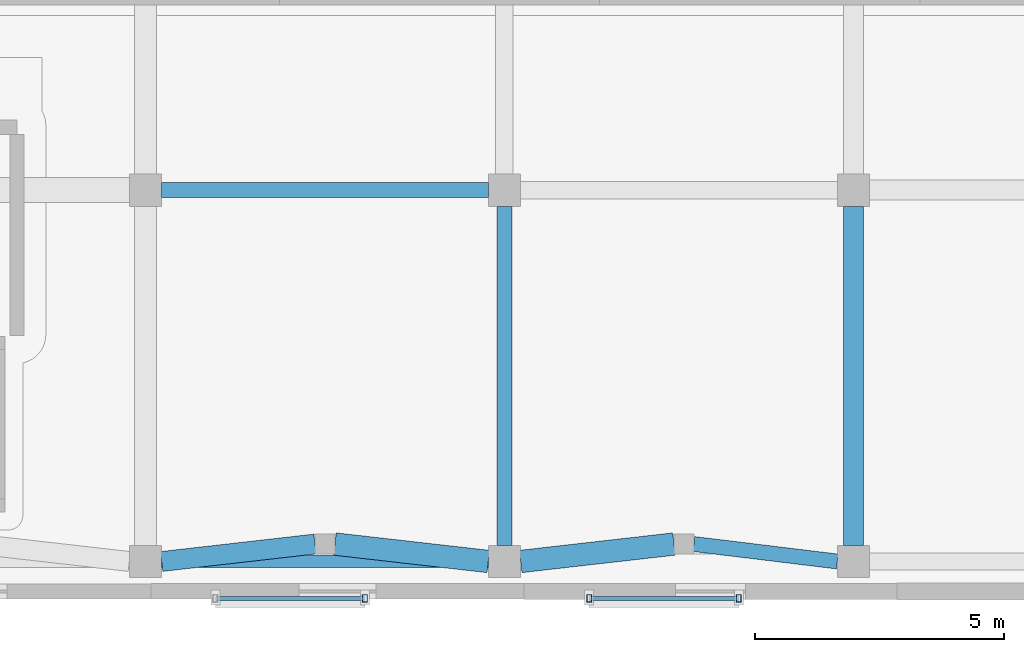
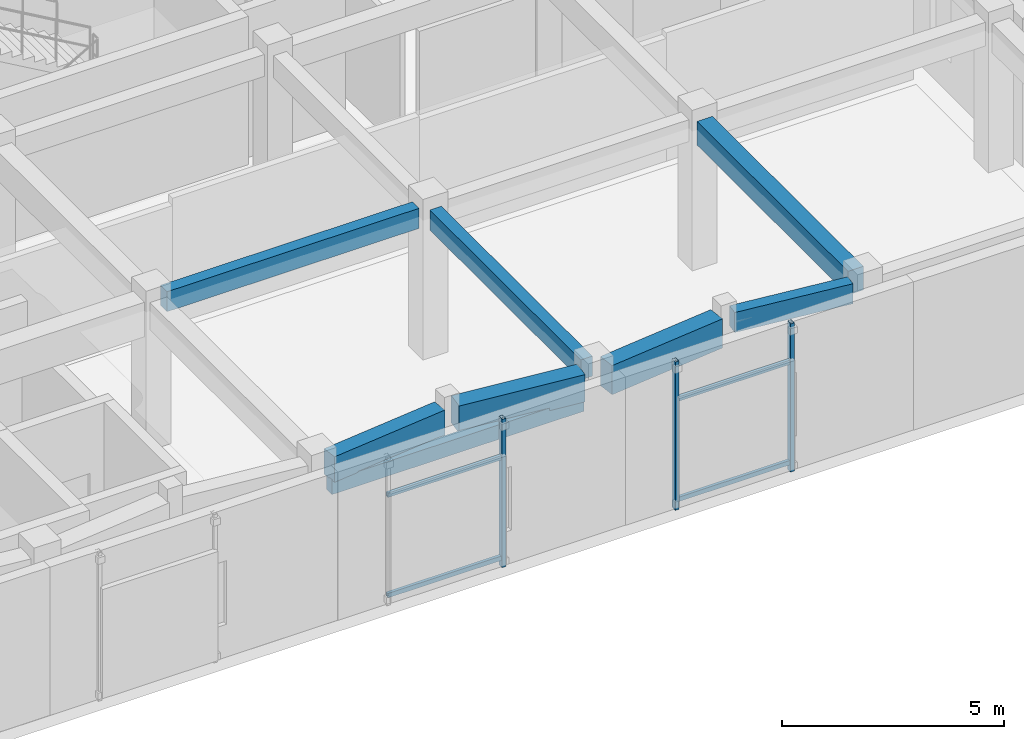
# One storey, part 22 of 142: 8 beams, 7 members.
"""IFC4 building model written with IfcOpenShell, lengths in metres."""

import ifcopenshell
import ifcopenshell.guid

model = None  # the IFC model being written
_history = None  # IfcOwnerHistory: only IFC2X3 demands one
_inside = {}  # id of a spatial element -> (the spatial element, [elements in it])
_under = {}  # id of a project, library or spatial element -> (it, [spatial elements below it])
_declared = {}  # id of a project -> (the project, [libraries it declares])
_typed = {}  # id of a type object -> (the type object, [elements of that type])
_made_of = {}  # id of a material, layer set ... -> (it, [elements and type objects made of it])


def new_model(schema):
    """Start an empty IFC model of exactly this schema.

    Asked for "IFC4X3", IfcOpenShell would pick the latest addendum, in which some entities
    have other attributes; the version numbers below select the first issue.
    IFC2X3 requires an IfcOwnerHistory on every rooted entity: one is made here for all.
    """
    global model, _history
    if schema == "IFC4X3":
        model = ifcopenshell.file(schema_version=(4, 3, 0, 0))
    else:
        model = ifcopenshell.file(schema=schema)
    _inside.clear()
    _under.clear()
    _declared.clear()
    _typed.clear()
    _made_of.clear()
    _history = None
    if model.schema == "IFC2X3":
        org = make("IfcOrganization", Name="unknown")
        user = make(
            "IfcPersonAndOrganization",
            ThePerson=make("IfcPerson", FamilyName="unknown"),
            TheOrganization=org,
        )
        app = make(
            "IfcApplication",
            ApplicationDeveloper=org,
            Version="unknown",
            ApplicationFullName="unknown",
            ApplicationIdentifier="unknown",
        )
        _history = make(
            "IfcOwnerHistory",
            OwningUser=user,
            OwningApplication=app,
            ChangeAction="ADDED",
            CreationDate=0,
        )
    return model


def make(cls, **values):
    """One entity of the class cls with the attributes given. An attribute that is None is left unset."""
    return model.create_entity(
        cls, **{name: value for name, value in values.items() if value is not None}
    )


def rooted(cls, **values):
    """An entity with a GlobalId (a new one), such as an element, a storey or a relation."""
    return make(cls, GlobalId=ifcopenshell.guid.new(), OwnerHistory=_history, **values)


def si_unit(unit_type, name, prefix=None):
    """IfcSIUnit, for example si_unit("LENGTHUNIT", "METRE", prefix="MILLI")."""
    return make("IfcSIUnit", UnitType=unit_type, Prefix=prefix, Name=name)


def assignment(units):
    """IfcUnitAssignment: the units of a project."""
    return None if units is None else make("IfcUnitAssignment", Units=units)


def point(xyz):
    """IfcCartesianPoint."""
    return None if xyz is None else make("IfcCartesianPoint", Coordinates=xyz)


def direction(xyz):
    """IfcDirection."""
    return None if xyz is None else make("IfcDirection", DirectionRatios=xyz)


def frame(location, z_axis=None, x_axis=None):
    """IfcAxis2Placement3D, a coordinate frame: its origin and axes. An axis left out is left unset."""
    return make(
        "IfcAxis2Placement3D",
        Location=point(location),
        Axis=direction(z_axis),
        RefDirection=direction(x_axis),
    )


def frame_2d(location, x_axis=None):
    """IfcAxis2Placement2D, a coordinate frame in the plane: its origin and x axis."""
    return make(
        "IfcAxis2Placement2D", Location=point(location), RefDirection=direction(x_axis)
    )


def origin():
    """The frame at (0, 0, 0) with its axes left unset."""
    return frame((0.0, 0.0, 0.0))


def origin_2d():
    """The frame at (0, 0) in the plane with its x axis left unset."""
    return frame_2d((0.0, 0.0))


def place(relative_to, where):
    """IfcLocalPlacement: puts the frame where relative to a parent placement (None: the world)."""
    return make(
        "IfcLocalPlacement", PlacementRelTo=relative_to, RelativePlacement=where
    )


def context(
    kind, dimensions, precision=None, world=None, true_north=None, identifier=None
):
    """IfcGeometricRepresentationContext, for example the 3D "Model" context."""
    return make(
        "IfcGeometricRepresentationContext",
        ContextIdentifier=identifier,
        ContextType=kind,
        CoordinateSpaceDimension=dimensions,
        Precision=precision,
        WorldCoordinateSystem=world,
        TrueNorth=true_north,
    )


def subcontext(parent, identifier, kind, view, scale=None):
    """IfcGeometricRepresentationSubContext, for example "Body" below "Model"."""
    return make(
        "IfcGeometricRepresentationSubContext",
        ContextIdentifier=identifier,
        ContextType=kind,
        ParentContext=parent,
        TargetScale=scale,
        TargetView=view,
    )


def project(units=None, contexts=None):
    """IfcProject with its units and contexts."""
    return rooted(
        "IfcProject",
        Name="project",
        RepresentationContexts=contexts,
        UnitsInContext=assignment(units),
    )


def spatial(cls, under=None, at=None, **own):
    """A site, building, storey or space (cls), placed at a placement, below another one or the project."""
    s = rooted(cls, ObjectPlacement=at, **own)
    if under is not None:
        _under.setdefault(under.id(), (under, []))[1].append(s)
    return s


def profile(cls, at=None, kind="AREA", **sizes):
    """A parametric profile (cls). Its sizes go by their IFC names, for example OverallWidth=200.0."""
    return make(cls, ProfileType=kind, Position=at, **sizes)


def rectangle(**sizes):
    """IfcRectangleProfileDef."""
    return profile("IfcRectangleProfileDef", **sizes)


def hollow_rectangle(**sizes):
    """IfcRectangleHollowProfileDef."""
    return profile("IfcRectangleHollowProfileDef", **sizes)


def extrude(swept, where, along, depth):
    """IfcExtrudedAreaSolid: the profile swept, set in the frame where, extruded along a direction by depth."""
    return make(
        "IfcExtrudedAreaSolid",
        SweptArea=swept,
        Position=where,
        ExtrudedDirection=direction(along),
        Depth=depth,
    )


def shape(context_of_items, identifier, shape_type, items):
    """IfcShapeRepresentation: the items that make up one representation, for example the "Body"."""
    return make(
        "IfcShapeRepresentation",
        ContextOfItems=context_of_items,
        RepresentationIdentifier=identifier,
        RepresentationType=shape_type,
        Items=items,
    )


def material(Name=None, Category=None):
    """IfcMaterial."""
    return make("IfcMaterial", Name=Name, Category=Category)


def material_profile(
    of_material, cross_section, Name=None, Category=None, Priority=None
):
    """IfcMaterialProfile: a cross section and its material."""
    return make(
        "IfcMaterialProfile",
        Name=Name,
        Material=of_material,
        Profile=cross_section,
        Priority=Priority,
        Category=Category,
    )


def profile_set(profiles, Name=None, composite=None):
    """IfcMaterialProfileSet."""
    return make(
        "IfcMaterialProfileSet",
        Name=Name,
        MaterialProfiles=profiles,
        CompositeProfile=composite,
    )


def made_of(thing, what):
    """Note that an element or type object is made of a material, layer set ...; save() writes the relation."""
    if what is not None:
        _made_of.setdefault(what.id(), (what, []))[1].append(thing)
    return thing


def type_object(cls, material=None, **own):
    """A type object (cls), such as IfcWallType, which elements share."""
    return made_of(rooted(cls, **own), material)


def element(
    cls,
    number,
    at=None,
    inside=None,
    cuts=None,
    type_object=None,
    material=None,
    context=None,
    identifier="Body",
    shape_type=None,
    held_by="IfcProductDefinitionShape",
    body=None,
    shapes=None,
    **own,
):
    """One element of the class cls, such as IfcWall. Its Tag is "e" and its number.

    at: its placement. inside: the storey or other place that contains it. cuts: it is an
    opening in that element (IfcRelVoidsElement). A single representation is given by context,
    identifier, shape_type and body (its items); several are given by shapes. held_by: the class
    of the entity that holds the representations. save() writes the other relations.
    """
    e = rooted(cls, Tag="e%d" % number, ObjectPlacement=at, **own)
    if body is not None:
        shapes = [shape(context, identifier, shape_type, body)]
    if shapes is not None:
        e.Representation = make(held_by, Representations=shapes)
    if inside is not None:
        _inside.setdefault(inside.id(), (inside, []))[1].append(e)
    if cuts is not None:
        rooted(
            "IfcRelVoidsElement", RelatingBuildingElement=cuts, RelatedOpeningElement=e
        )
    if type_object is not None:
        _typed.setdefault(type_object.id(), (type_object, []))[1].append(e)
    return made_of(e, material)


def aggregate(whole, parts):
    """IfcRelAggregates: a whole, such as a stair, and the parts it consists of."""
    return rooted("IfcRelAggregates", RelatingObject=whole, RelatedObjects=parts)


def save(model, path):
    """Write the relations noted so far, then the file.

    IfcRelAggregates (storeys below a building ...), IfcRelContainedInSpatialStructure (elements
    in a storey), IfcRelDefinesByType, IfcRelAssociatesMaterial and IfcRelDeclares: one each for
    every whole, place, type object, material and project.
    """
    for whole, parts in _under.values():
        aggregate(whole, parts)
    for where, things in _inside.values():
        rooted(
            "IfcRelContainedInSpatialStructure",
            RelatedElements=things,
            RelatingStructure=where,
        )
    for kind, things in _typed.values():
        rooted("IfcRelDefinesByType", RelatedObjects=things, RelatingType=kind)
    for what, things in _made_of.values():
        rooted("IfcRelAssociatesMaterial", RelatedObjects=things, RelatingMaterial=what)
    for by, libraries in _declared.values():
        rooted("IfcRelDeclares", RelatingContext=by, RelatedDefinitions=libraries)
    model.write(path)


model = new_model("IFC4")

# Units and contexts
model_context = context("Model", 3, precision=1e-05, world=origin(), true_north=direction((0.0, 1.0)))
body_context = subcontext(model_context, "Body", "Model", "MODEL_VIEW")
ifc_project = project(units=[si_unit("LENGTHUNIT", "METRE"), si_unit("AREAUNIT", "SQUARE_METRE"), si_unit("VOLUMEUNIT", "CUBIC_METRE"), si_unit("PLANEANGLEUNIT", "RADIAN"), si_unit("MASSUNIT", "GRAM", prefix="KILO")], contexts=[model_context])

# Site, building, storey
site_placement = place(None, origin())
site = spatial("IfcSite", under=ifc_project, at=site_placement, CompositionType="ELEMENT")
building_placement = place(site_placement, origin())
building = spatial("IfcBuilding", under=site, at=building_placement, Name="Valcora Specialist Clinic", CompositionType="ELEMENT")
storey_placement = place(building_placement, frame((0.0, 0.0, 5.10009765625)))
storey = spatial("IfcBuildingStorey", under=building, at=storey_placement, Name="L01", CompositionType="ELEMENT", Elevation=5.10009765625)

# Beams
ifc_material_1 = material(Name="Concrete C40/50", Category="concrete")
ifc_material_profile_1 = material_profile(ifc_material_1, rectangle(XDim=0.300048828125, YDim=0.550048828125, at=origin_2d()), Name="RC-BM-300X550")
ifc_profile_set_1 = profile_set([ifc_material_profile_1], Name="Concrete C40/50")
beam_type_1 = type_object("IfcBeamType", Name="TY-BM-RC300X550", PredefinedType="BEAM", material=ifc_profile_set_1)
beam_1_placement = place(storey_placement, frame((41.60009765625, 1.10009765625, 3.7998046875), z_axis=(0.992667109146, -0.120880148991, 0.0), x_axis=(0.120880148991, 0.992667109146, 0.0)))
element("IfcBeam", 1, at=beam_1_placement, inside=storey, type_object=beam_type_1, Name="Beam BM-L01-0937", PredefinedType="BEAM", context=body_context, shape_type="SweptSolid", body=[
    extrude(rectangle(XDim=0.300048828125, YDim=0.550048828125, at=origin_2d()), origin(), (0.0, 0.0, 1.0), 2.896240234375),
])
beam_2_placement = place(storey_placement, frame((30.925048828125, 8.199951171875, 3.7998046875), z_axis=(1.0, 0.0, 0.0), x_axis=(0.0, 1.0, 0.0)))
element("IfcBeam", 2, at=beam_2_placement, inside=storey, type_object=beam_type_1, Name="Beam BM-L01-0943", PredefinedType="BEAM", context=body_context, shape_type="SweptSolid", body=[
    extrude(rectangle(XDim=0.300048828125, YDim=0.550048828125, at=origin_2d()), origin(), (0.0, 0.0, 1.0), 6.550048828125),
])
beam_3_placement = place(storey_placement, frame((37.800048828125, 1.074951171875, 3.7998046875), z_axis=(0.0, 1.0, 0.0), x_axis=(-1.0, 0.0, 0.0)))
element("IfcBeam", 3, at=beam_3_placement, inside=storey, type_object=beam_type_1, Name="Beam BM-L01-0971", PredefinedType="BEAM", context=body_context, shape_type="SweptSolid", body=[
    extrude(rectangle(XDim=0.300048828125, YDim=0.550048828125, at=origin_2d()), origin(), (0.0, 0.0, 1.0), 6.800048828125),
])
ifc_material_profile_2 = material_profile(ifc_material_1, rectangle(XDim=0.39990234375, YDim=0.64990234375, at=origin_2d()), Name="RC-BM-400X650")
ifc_profile_set_2 = profile_set([ifc_material_profile_2], Name="Concrete C40/50")
beam_type_2 = type_object("IfcBeamType", Name="TY-BM-RC400X650", PredefinedType="BEAM", material=ifc_profile_set_2)
beam_4_placement = place(storey_placement, frame((44.800048828125, 1.074951171875, 3.75), z_axis=(0.0, 1.0, 0.0), x_axis=(-1.0, 0.0, 0.0)))
element("IfcBeam", 4, at=beam_4_placement, inside=storey, type_object=beam_type_2, Name="Beam BM-L01-0973", PredefinedType="BEAM", context=body_context, shape_type="SweptSolid", body=[
    extrude(rectangle(XDim=0.39990234375, YDim=0.64990234375, at=origin_2d()), origin(), (0.0, 0.0, 1.0), 6.800048828125),
])
ifc_material_profile_3 = material_profile(ifc_material_1, rectangle(XDim=0.39990234375, YDim=0.699951171875, at=origin_2d()), Name="RC-BM-400X700")
ifc_profile_set_3 = profile_set([ifc_material_profile_3], Name="Concrete C40/50")
beam_type_3 = type_object("IfcBeamType", Name="TY-BM-RC400X700", PredefinedType="BEAM", material=ifc_profile_set_3)
beam_5_placement = place(storey_placement, frame((30.925048828125, 0.75, 3.724853515625), z_axis=(0.993580893822, 0.113123858812, 0.0), x_axis=(-0.113123858812, 0.993580893822, 0.0)))
element("IfcBeam", 5, at=beam_5_placement, inside=storey, type_object=beam_type_3, Name="Beam BM-L01-0934", PredefinedType="BEAM", context=body_context, shape_type="SweptSolid", body=[
    extrude(rectangle(XDim=0.39990234375, YDim=0.699951171875, at=origin_2d()), origin(), (0.0, 0.0, 1.0), 3.0947265625),
])
ifc_material_profile_4 = material_profile(ifc_material_1, rectangle(XDim=0.449951171875, YDim=0.75, at=origin_2d()), Name="RC-BM-450X750")
ifc_profile_set_4 = profile_set([ifc_material_profile_4], Name="Concrete C40/50")
beam_type_4 = type_object("IfcBeamType", Name="TY-BM-RC450X750", PredefinedType="BEAM", material=ifc_profile_set_4)
beam_6_placement = place(storey_placement, frame((34.39990234375, 1.10009765625, 3.699951171875), z_axis=(0.99358190322, -0.113114992793, 0.0), x_axis=(0.113114992793, 0.99358190322, 0.0)))
element("IfcBeam", 6, at=beam_6_placement, inside=storey, type_object=beam_type_4, Name="Beam BM-L01-0935", PredefinedType="BEAM", context=body_context, shape_type="SweptSolid", body=[
    extrude(rectangle(XDim=0.449951171875, YDim=0.75, at=origin_2d()), origin(), (0.0, 0.0, 1.0), 3.094970703125),
])
ifc_material_profile_5 = material_profile(ifc_material_1, rectangle(XDim=0.449951171875, YDim=0.800048828125, at=origin_2d()), Name="RC-BM-450X800")
ifc_profile_set_5 = profile_set([ifc_material_profile_5], Name="Concrete C40/50")
beam_type_5 = type_object("IfcBeamType", Name="TY-BM-RC450X800", PredefinedType="BEAM", material=ifc_profile_set_5)
beam_7_placement = place(storey_placement, frame((38.125, 0.75, 3.6748046875), z_axis=(0.993580893822, 0.113123858812, 0.0), x_axis=(-0.113123858812, 0.993580893822, 0.0)))
element("IfcBeam", 7, at=beam_7_placement, inside=storey, type_object=beam_type_5, Name="Beam BM-L01-0936", PredefinedType="BEAM", context=body_context, shape_type="SweptSolid", body=[
    extrude(rectangle(XDim=0.449951171875, YDim=0.800048828125, at=origin_2d()), origin(), (0.0, 0.0, 1.0), 3.0947265625),
])
ifc_material_profile_6 = material_profile(ifc_material_1, rectangle(XDim=0.25, YDim=0.39990234375, at=origin_2d()), Name="RC-LN-250X400")
ifc_profile_set_6 = profile_set([ifc_material_profile_6], Name="Concrete C40/50")
beam_type_6 = type_object("IfcBeamType", Name="TY-LN-RC250X400", PredefinedType="LINTEL", material=ifc_profile_set_6)
beam_8_placement = place(storey_placement, frame((30.925048828125, 0.75, 3.199951171875), z_axis=(1.0, 0.0, 0.0), x_axis=(0.0, 1.0, 0.0)))
element("IfcBeam", 8, at=beam_8_placement, inside=storey, type_object=beam_type_6, Name="Facade lintel 3 BM-L01-1647", PredefinedType="LINTEL", context=body_context, shape_type="SweptSolid", body=[
    extrude(rectangle(XDim=0.25, YDim=0.39990234375, at=origin_2d()), origin(), (0.0, 0.0, 1.0), 6.550048828125),
])

# Members
ifc_material_2 = material(Name="Steel ASTM A500 Grade C", Category="steel")
ifc_material_profile_7 = material_profile(ifc_material_2, hollow_rectangle(XDim=0.10009765625, YDim=0.14990234375, WallThickness=0.006103515625, at=origin_2d()), Name="ST-RHS-150X100X6")
ifc_profile_set_7 = profile_set([ifc_material_profile_7], Name="Steel ASTM A500 Grade C")
member_type_1 = type_object("IfcMemberType", Name="TY-MB-SFPOST", PredefinedType="POST", material=ifc_profile_set_7)
for number, where, z_axis, x_axis, name in (
    (9, (35.0, 0.010009765625, 0.0), (0.0, 0.0, 1.0), (1.0, 0.0, 0.0), "Brick screen carrier post 50"),
    (10, (39.5, 0.010009765625, 0.0), (0.0, 0.0, 1.0), (1.0, 0.0, 0.0), "Brick screen carrier post 53"),
    (11, (42.5, 0.010009765625, 0.0), (0.0, 0.0, 1.0), (1.0, 0.0, 0.0), "Brick screen carrier post 54"),
):
    element("IfcMember", number, at=place(storey_placement, frame(where, z_axis=z_axis, x_axis=x_axis)), inside=storey, type_object=member_type_1, Name=name, PredefinedType="POST", context=body_context, shape_type="SweptSolid", body=[
        extrude(hollow_rectangle(XDim=0.10009765625, YDim=0.14990234375, WallThickness=0.006103515625, at=origin_2d()), origin(), (0.0, 0.0, 1.0), 4.074951171875),
    ])
ifc_material_profile_8 = material_profile(ifc_material_2, hollow_rectangle(XDim=0.080078125, YDim=0.1201171875, WallThickness=0.0048828125, at=origin_2d()), Name="ST-RHS-120X80X5")
ifc_profile_set_8 = profile_set([ifc_material_profile_8], Name="Steel ASTM A500 Grade C")
member_type_2 = type_object("IfcMemberType", Name="TY-MB-SFRAIL", PredefinedType="STRINGER", material=ifc_profile_set_8)
for number, where, z_axis, x_axis, name in (
    (12, (32.0, 0.010009765625, 0.239990234375), (1.0, 0.0, 0.0), (0.0, 1.0, 0.0), "Brick screen carrier rail 51"),
    (13, (32.0, 0.010009765625, 3.0), (1.0, 0.0, 0.0), (0.0, 1.0, 0.0), "Brick screen carrier rail 52"),
    (14, (39.5, 0.010009765625, 0.239990234375), (1.0, 0.0, 0.0), (0.0, 1.0, 0.0), "Brick screen carrier rail 55"),
    (15, (39.5, 0.010009765625, 3.0), (1.0, 0.0, 0.0), (0.0, 1.0, 0.0), "Brick screen carrier rail 56"),
):
    element("IfcMember", number, at=place(storey_placement, frame(where, z_axis=z_axis, x_axis=x_axis)), inside=storey, type_object=member_type_2, Name=name, PredefinedType="STRINGER", context=body_context, shape_type="SweptSolid", body=[
        extrude(hollow_rectangle(XDim=0.080078125, YDim=0.1201171875, WallThickness=0.0048828125, at=origin_2d()), origin(), (0.0, 0.0, 1.0), 3.0),
    ])

save(model, "model.ifc")
